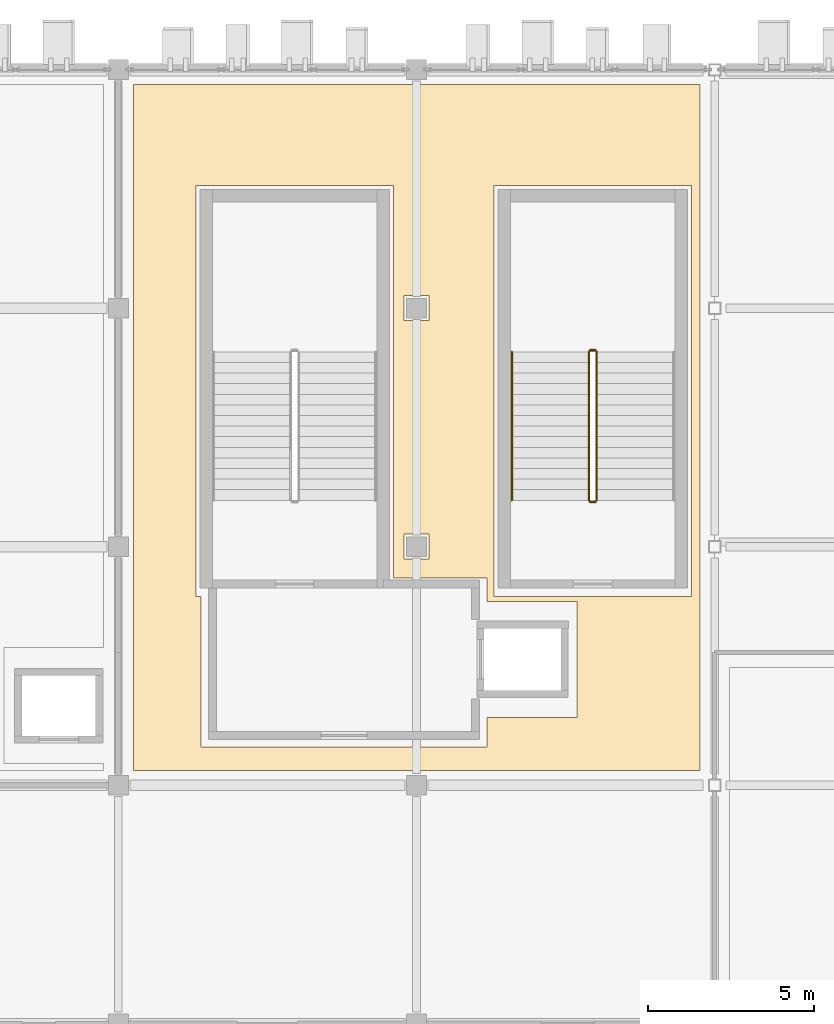
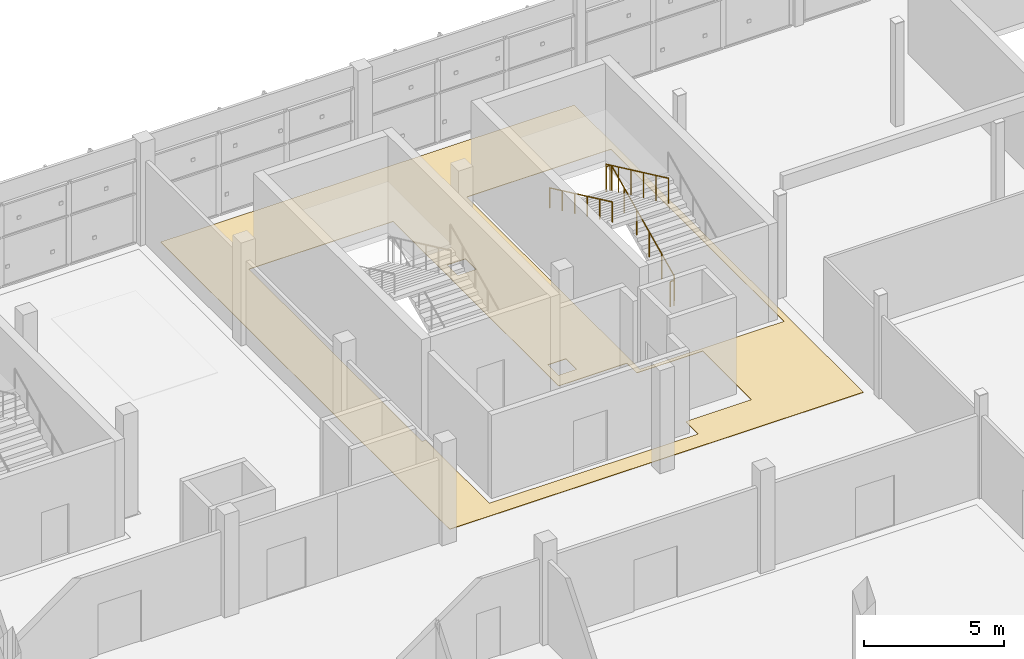
# One storey, part 122 of 124: 5 railings, 1 covering.
"""IFC4 building model written with IfcOpenShell, lengths in metres."""

from ifc_helpers import new_model, si_unit, direction, frame, origin, origin_2d, place, context, subcontext, project, spatial, polyline, circle, outline, extrude, material, layer, layer_set, type_object, element, save


model = new_model("IFC4")

# Units and contexts
model_context = context("Model", 3, precision=1e-05, world=origin(), true_north=direction((0.0, 1.0)))
body_context = subcontext(model_context, "Body", "Model", "MODEL_VIEW")
ifc_project = project(units=[si_unit("LENGTHUNIT", "METRE"), si_unit("AREAUNIT", "SQUARE_METRE"), si_unit("VOLUMEUNIT", "CUBIC_METRE"), si_unit("PLANEANGLEUNIT", "RADIAN"), si_unit("MASSUNIT", "GRAM", prefix="KILO")], contexts=[model_context])

# Site, building, storey
site_placement = place(None, origin())
site = spatial("IfcSite", under=ifc_project, at=site_placement, CompositionType="ELEMENT")
building_placement = place(site_placement, origin())
building = spatial("IfcBuilding", under=site, at=building_placement, Name="Celestram Park Convention Centre", CompositionType="ELEMENT")
storey_placement = place(building_placement, frame((0.0, 0.0, 15.300048828125)))
storey = spatial("IfcBuildingStorey", under=building, at=storey_placement, Name="L03", CompositionType="ELEMENT", Elevation=15.300048828125)

# Covering
ifc_material_1 = material(Name="Polished Lakefront Aggregate Terrazzo Flooring", Category="concrete")
ifc_layer_1 = layer(ifc_material_1, 0.02001953125)
ifc_layer_set_1 = layer_set([ifc_layer_1], Name="Polished Lakefront Aggregate Terrazzo Flooring")
covering_type = type_object("IfcCoveringType", Name="ARC-COV-FLR020", PredefinedType="FLOORING", material=ifc_layer_set_1)
covering_placement = place(storey_placement, origin())
element("IfcCovering", 1, at=covering_placement, inside=storey, type_object=covering_type, Name="East Elevator Lobby L03 terrazzo flooring", PredefinedType="FLOORING", context=body_context, shape_type="SweptSolid", body=[
    extrude(outline(polyline([(98.550048828125, 165.14990234375), (98.550048828125, 144.449951171875), (81.449951171875, 144.449951171875), (81.449951171875, 165.14990234375), (98.550048828125, 165.14990234375)]), holes=[polyline([(92.1298828125, 150.25), (89.300048828125, 150.25), (89.300048828125, 162.10009765625), (83.340087890625, 162.10009765625), (83.340087890625, 149.699951171875), (83.489990234375, 149.699951171875), (83.489990234375, 145.14990234375), (92.1298828125, 145.14990234375), (92.1298828125, 146.050048828125), (94.85009765625, 146.050048828125), (94.85009765625, 149.550048828125), (92.1298828125, 149.550048828125), (92.1298828125, 150.25)]), polyline([(98.300048828125, 162.10009765625), (92.340087890625, 162.10009765625), (92.340087890625, 149.699951171875), (98.300048828125, 149.699951171875), (98.300048828125, 162.10009765625)]), polyline([(89.6220703125, 151.577880859375), (89.6220703125, 150.822021484375), (90.3779296875, 150.822021484375), (90.3779296875, 151.577880859375), (89.6220703125, 151.577880859375)]), polyline([(90.3779296875, 158.778076171875), (89.6220703125, 158.778076171875), (89.6220703125, 158.02197265625), (90.3779296875, 158.02197265625), (90.3779296875, 158.778076171875)])]), origin(), (0.0, 0.0, 1.0), 0.02001953125),
])

# Railings
ifc_material_2 = material(Name="Stainless Steel AISI 316L & Laminated Glass", Category="steel")
ifc_layer_2 = layer(ifc_material_2, 0.06005859375)
ifc_layer_set_2 = layer_set([ifc_layer_2], Name="Stainless Steel AISI 316L & Laminated Glass")
railing_type_1 = type_object("IfcRailingType", Name="ARC-RL-GRD1120", PredefinedType="GUARDRAIL", material=ifc_layer_set_2)
railing_1_placement = place(storey_placement, frame((95.43603515625, 152.60009765625, 0.14990234375)))
element("IfcRailing", 2, at=railing_1_placement, inside=storey, type_object=railing_type_1, Name="L03 ST-19 stair guard 1", PredefinedType="GUARDRAIL", context=body_context, shape_type="SweptSolid", body=[
    extrude(circle(Radius=0.02392578125, at=origin_2d()), frame((0.0, 0.0, 1.09619140625), z_axis=(0.0, 0.905450639465, 0.424451574969), x_axis=(-1.0, 0.0, 0.0)), (0.0, 0.0, 1.0), 4.94775390625),
    extrude(circle(Radius=0.02099609375, at=origin_2d()), origin(), (0.0, 0.0, 1.0), 1.072021484375),
    extrude(circle(Radius=0.02099609375, at=origin_2d()), frame((0.0, 0.89599609375, 0.419921875)), (0.0, 0.0, 1.0), 1.072021484375),
    extrude(circle(Radius=0.02099609375, at=origin_2d()), frame((0.0, 1.7919921875, 0.840087890625)), (0.0, 0.0, 1.0), 1.072021484375),
    extrude(circle(Radius=0.02099609375, at=origin_2d()), frame((0.0, 2.68798828125, 1.260009765625)), (0.0, 0.0, 1.0), 1.072021484375),
    extrude(circle(Radius=0.02099609375, at=origin_2d()), frame((0.0, 3.583984375, 1.68017578125)), (0.0, 0.0, 1.0), 1.072021484375),
    extrude(circle(Radius=0.02099609375, at=origin_2d()), frame((0.0, 4.47998046875, 2.10009765625)), (0.0, 0.0, 1.0), 1.072021484375),
])
railing_2_placement = place(storey_placement, frame((95.39990234375, 157.1298828125, 2.25)))
element("IfcRailing", 3, at=railing_2_placement, inside=storey, type_object=railing_type_1, Name="L03 ST-19 stair guard 2", PredefinedType="GUARDRAIL", context=body_context, shape_type="SweptSolid", body=[
    extrude(circle(Radius=0.02392578125, at=origin_2d()), frame((0.0, 0.0, 1.09619140625), z_axis=(-1.0, 0.0, 0.0), x_axis=(0.0, -1.0, 0.0)), (0.0, 0.0, 1.0), 0.159912109375),
    extrude(circle(Radius=0.02099609375, at=origin_2d()), origin(), (0.0, 0.0, 1.0), 1.072021484375),
    extrude(circle(Radius=0.02099609375, at=origin_2d()), frame((-0.159912109375, 0.0, 0.0)), (0.0, 0.0, 1.0), 1.072021484375),
])
railing_3_placement = place(storey_placement, frame((95.2041015625, 157.080078125, 2.39990234375)))
element("IfcRailing", 4, at=railing_3_placement, inside=storey, type_object=railing_type_1, Name="L03 ST-19 stair guard 3", PredefinedType="GUARDRAIL", context=body_context, shape_type="SweptSolid", body=[
    extrude(circle(Radius=0.02392578125, at=origin_2d()), frame((0.0, 0.0, 1.09619140625), z_axis=(0.0, -0.905450639465, 0.424451574969), x_axis=(1.0, 0.0, 0.0)), (0.0, 0.0, 1.0), 4.94775390625),
    extrude(circle(Radius=0.02099609375, at=origin_2d()), origin(), (0.0, 0.0, 1.0), 1.072021484375),
    extrude(circle(Radius=0.02099609375, at=origin_2d()), frame((0.0, -0.89599609375, 0.419921875)), (0.0, 0.0, 1.0), 1.072021484375),
    extrude(circle(Radius=0.02099609375, at=origin_2d()), frame((0.0, -1.7919921875, 0.840087890625)), (0.0, 0.0, 1.0), 1.072021484375),
    extrude(circle(Radius=0.02099609375, at=origin_2d()), frame((0.0, -2.68798828125, 1.260009765625)), (0.0, 0.0, 1.0), 1.072021484375),
    extrude(circle(Radius=0.02099609375, at=origin_2d()), frame((0.0, -3.583984375, 1.68017578125)), (0.0, 0.0, 1.0), 1.072021484375),
    extrude(circle(Radius=0.02099609375, at=origin_2d()), frame((0.0, -4.47998046875, 2.10009765625)), (0.0, 0.0, 1.0), 1.072021484375),
])
railing_4_placement = place(storey_placement, frame((95.39990234375, 152.550048828125, 0.0)))
element("IfcRailing", 5, at=railing_4_placement, inside=storey, type_object=railing_type_1, Name="L03 ST-19 stair guard 4", PredefinedType="GUARDRAIL", context=body_context, shape_type="SweptSolid", body=[
    extrude(circle(Radius=0.02392578125, at=origin_2d()), frame((0.0, 0.0, 1.09619140625), z_axis=(-1.0, 0.0, 0.0), x_axis=(0.0, -1.0, 0.0)), (0.0, 0.0, 1.0), 0.159912109375),
    extrude(circle(Radius=0.02099609375, at=origin_2d()), origin(), (0.0, 0.0, 1.0), 1.072021484375),
    extrude(circle(Radius=0.02099609375, at=origin_2d()), frame((-0.159912109375, 0.0, 0.0)), (0.0, 0.0, 1.0), 1.072021484375),
])
ifc_material_3 = material(Name="Brushed Stainless Steel AISI 304", Category="steel")
ifc_layer_3 = layer(ifc_material_3, 0.048095703125)
ifc_layer_set_3 = layer_set([ifc_layer_3], Name="Brushed Stainless Steel AISI 304")
railing_type_2 = type_object("IfcRailingType", Name="ARC-RL-HND915", PredefinedType="HANDRAIL", material=ifc_layer_set_3)
railing_5_placement = place(storey_placement, frame((92.8759765625, 157.080078125, 2.39990234375)))
element("IfcRailing", 6, at=railing_5_placement, inside=storey, type_object=railing_type_2, Name="L03 ST-19 stair handrail 2", PredefinedType="HANDRAIL", context=body_context, shape_type="SweptSolid", body=[
    extrude(circle(Radius=0.02392578125, at=origin_2d()), frame((0.0, 0.0, 0.8759765625), z_axis=(0.0, -0.905450639465, 0.424451574969), x_axis=(1.0, 0.0, 0.0)), (0.0, 0.0, 1.0), 4.94775390625),
    extrude(circle(Radius=0.02099609375, at=origin_2d()), origin(), (0.0, 0.0, 1.0), 0.851806640625),
    extrude(circle(Radius=0.02099609375, at=origin_2d()), frame((0.0, -0.89599609375, 0.419921875)), (0.0, 0.0, 1.0), 0.851806640625),
    extrude(circle(Radius=0.02099609375, at=origin_2d()), frame((0.0, -1.7919921875, 0.840087890625)), (0.0, 0.0, 1.0), 0.851806640625),
    extrude(circle(Radius=0.02099609375, at=origin_2d()), frame((0.0, -2.68798828125, 1.260009765625)), (0.0, 0.0, 1.0), 0.851806640625),
    extrude(circle(Radius=0.02099609375, at=origin_2d()), frame((0.0, -3.583984375, 1.68017578125)), (0.0, 0.0, 1.0), 0.851806640625),
    extrude(circle(Radius=0.02099609375, at=origin_2d()), frame((0.0, -4.47998046875, 2.10009765625)), (0.0, 0.0, 1.0), 0.851806640625),
])

save(model, "model.ifc")
